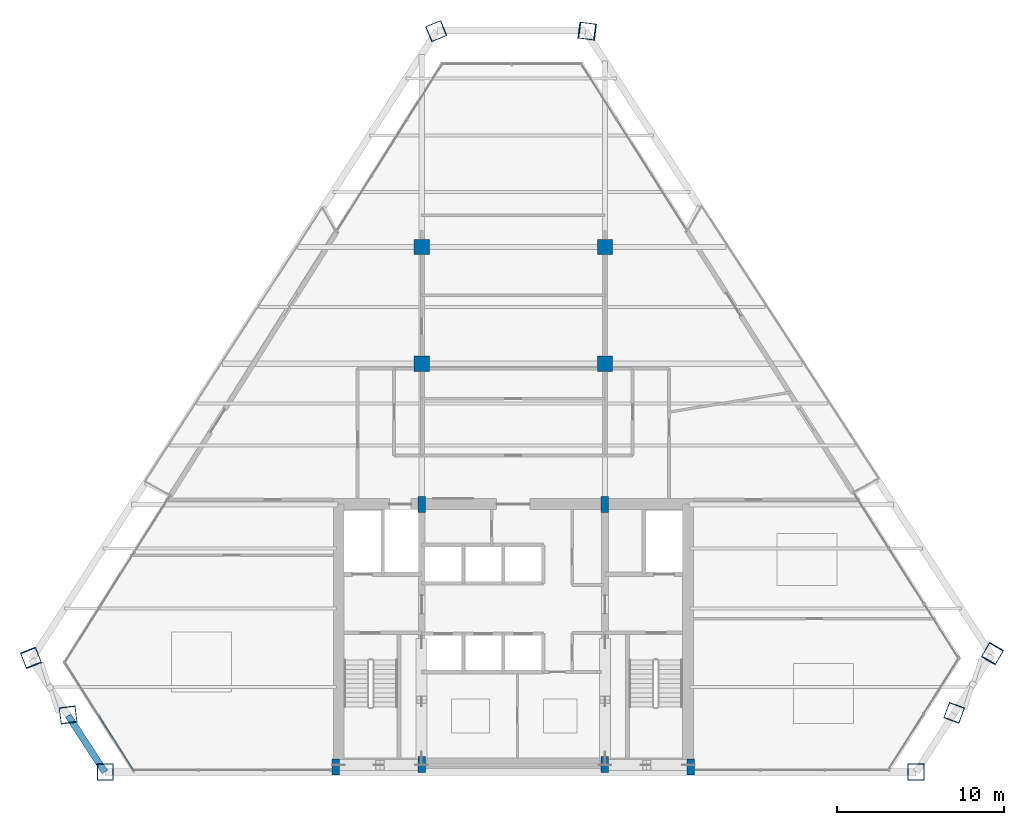
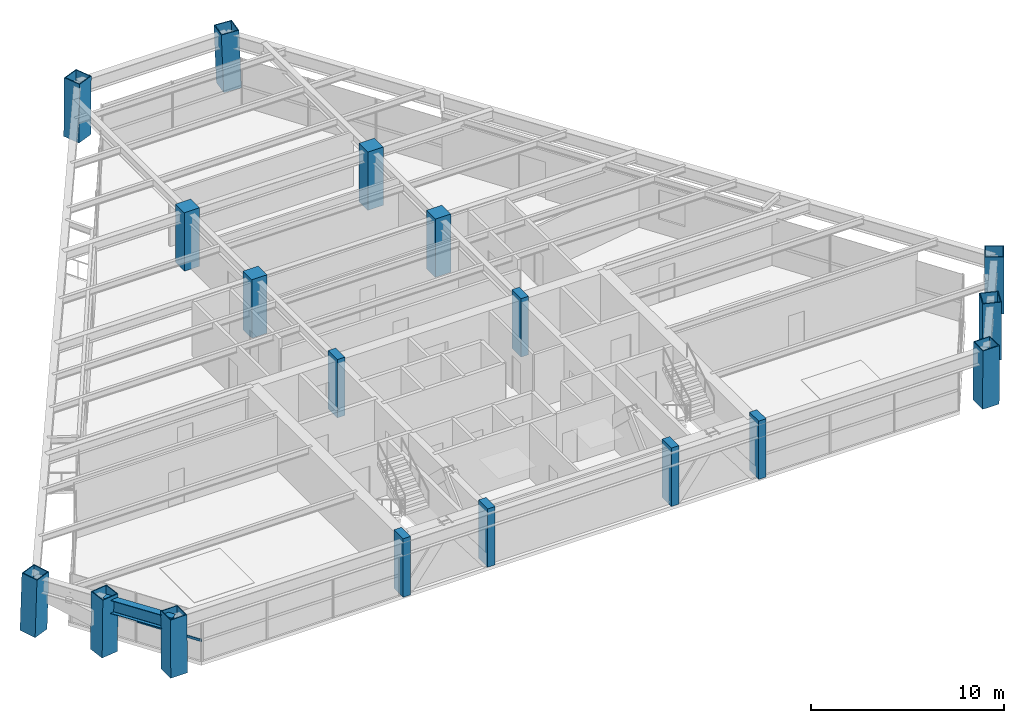
# One storey, part 1 of 15: 18 columns, 1 beam, 1 member, 1 element without a shape of its own.
"""IFC4 building model written with IfcOpenShell, lengths in metres."""

from ifc_helpers import new_model, si_unit, direction, frame, origin, origin_2d, place, context, subcontext, project, spatial, rectangle, hollow_rectangle, i_section, extrude, source, transform, mapped, material, material_profile, profile_set, type_object, type_shapes, element, aggregate, save


model = new_model("IFC4")

# Units and contexts
model_context = context("Model", 3, precision=1e-05, world=origin(), true_north=direction((0.0, 1.0)))
body_context = subcontext(model_context, "Body", "Model", "MODEL_VIEW")
ifc_project = project(units=[si_unit("LENGTHUNIT", "METRE"), si_unit("AREAUNIT", "SQUARE_METRE"), si_unit("VOLUMEUNIT", "CUBIC_METRE"), si_unit("PLANEANGLEUNIT", "RADIAN"), si_unit("MASSUNIT", "GRAM", prefix="KILO")], contexts=[model_context])

# Site, building, storey
site_placement = place(None, origin())
site = spatial("IfcSite", under=ifc_project, at=site_placement, CompositionType="ELEMENT")
building_placement = place(site_placement, origin())
building = spatial("IfcBuilding", under=site, at=building_placement, Name="Varnakhor Terracotta Tower", CompositionType="ELEMENT")
storey_placement = place(building_placement, frame((0.0, 0.0, 171.0)))
storey = spatial("IfcBuildingStorey", under=building, at=storey_placement, Name="L43", CompositionType="ELEMENT", Elevation=171.0)

# Columns
ifc_material_1 = material(Name="Concrete C50/60", Category="concrete")
ifc_material_profile_1 = material_profile(ifc_material_1, rectangle(XDim=0.449951171875, YDim=0.949951171875, at=origin_2d()), Name="RC PILASTER 950x450")
ifc_profile_set_1 = profile_set([ifc_material_profile_1], Name="Concrete C50/60")
column_type_1 = type_object("IfcColumnType", Name="COL-PIL-950x450", PredefinedType="PILASTER", material=ifc_profile_set_1)
shared_shape_1 = source(origin(), body_context, "Body", "SweptSolid", [
    extrude(rectangle(XDim=0.449951171875, YDim=0.949951171875, at=origin_2d()), origin(), (0.0, 0.0, 1.0), 3.699951171875),
])
for number, where, z_axis, x_axis, name in (
    (1, (-10.64990234375, 0.300048828125, 0.0), (0.0, 0.0, 1.0), (1.0, 0.0, 0.0), "L43 Core Pilaster CP1"),
    (2, (-5.5, 0.449951171875, 0.0), (0.0, 0.0, 1.0), (1.0, 0.0, 0.0), "L43 Core Pilaster CP2"),
    (3, (5.5, 0.449951171875, 0.0), (0.0, 0.0, 1.0), (1.0, 0.0, 0.0), "L43 Core Pilaster CP3"),
    (4, (10.64990234375, 0.300048828125, 0.0), (0.0, 0.0, 1.0), (1.0, 0.0, 0.0), "L43 Core Pilaster CP4"),
    (5, (-5.5, 16.050048828125, 0.0), (0.0, 0.0, 1.0), (1.0, 0.0, 0.0), "L43 Core Pilaster CP5"),
    (6, (5.5, 16.050048828125, 0.0), (0.0, 0.0, 1.0), (1.0, 0.0, 0.0), "L43 Core Pilaster CP6"),
):
    element("IfcColumn", number, at=place(storey_placement, frame(where, z_axis=z_axis, x_axis=x_axis)), inside=storey, type_object=column_type_1, Name=name, PredefinedType="PILASTER", context=body_context, shape_type="MappedRepresentation", body=[
        mapped(shared_shape_1, transform((0.0, 0.0, 0.0), scale=1.0)),
    ])
ifc_material_profile_2 = material_profile(ifc_material_1, rectangle(XDim=0.919921875, YDim=0.919921875, at=origin_2d()), Name="RC 920x920")
ifc_profile_set_2 = profile_set([ifc_material_profile_2], Name="Concrete C50/60")
column_type_2 = type_object("IfcColumnType", Name="COL-RC-920", PredefinedType="COLUMN", material=ifc_profile_set_2)
shared_shape_2 = source(origin(), body_context, "Body", "SweptSolid", [
    extrude(rectangle(XDim=0.919921875, YDim=0.919921875, at=origin_2d()), origin(), (0.0, 0.0, 1.0), 3.699951171875),
])
for number, where, z_axis, x_axis, name in (
    (7, (-5.5, 24.5, 0.0), (0.0, 0.0, 1.0), (1.0, 0.0, 0.0), "L43 Interior Tower Column IC1"),
    (8, (5.5, 24.5, 0.0), (0.0, 0.0, 1.0), (1.0, 0.0, 0.0), "L43 Interior Tower Column IC2"),
    (9, (-5.5, 31.5, 0.0), (0.0, 0.0, 1.0), (1.0, 0.0, 0.0), "L43 Interior Tower Column IC3"),
    (10, (5.5, 31.5, 0.0), (0.0, 0.0, 1.0), (1.0, 0.0, 0.0), "L43 Interior Tower Column IC4"),
):
    element("IfcColumn", number, at=place(storey_placement, frame(where, z_axis=z_axis, x_axis=x_axis)), inside=storey, type_object=column_type_2, Name=name, PredefinedType="COLUMN", context=body_context, shape_type="MappedRepresentation", body=[
        mapped(shared_shape_2, transform((0.0, 0.0, 0.0), scale=1.0)),
    ])
ifc_material_2 = material(Name="Steel S460", Category="steel")
ifc_material_profile_3 = material_profile(ifc_material_2, hollow_rectangle(XDim=1.0, YDim=1.0, WallThickness=0.050048828125, at=origin_2d()), Name="BOX 1000x1000x50")
ifc_profile_set_3 = profile_set([ifc_material_profile_3], Name="Steel S460")
column_type_3 = type_object("IfcColumnType", Name="COL-MEGA-1000", PredefinedType="COLUMN", material=ifc_profile_set_3)
shared_shape_3 = source(origin(), body_context, "Body", "SweptSolid", [
    extrude(hollow_rectangle(XDim=1.0, YDim=1.0, WallThickness=0.050048828125, at=origin_2d()), origin(), (0.0, 0.0, 1.0), 3.69140625),
])
type_shapes(column_type_3, [shared_shape_3])
for number, where, z_axis, x_axis, name in (
    (11, (-24.478271484375, 0.0, 0.00439453125), (-0.008333595122, 0.0, 0.999965274993), (0.0, -1.0, 0.0), "L43 Perimeter Mega-Column M1"),
    (12, (-4.6337890625, 44.4521484375, 0.00439453125), (0.011706188578, 0.004761839421, 0.999920141828), (-0.376798129202, 0.926295400955, 0.0), "L43 Perimeter Mega-Column M6"),
):
    element("IfcColumn", number, at=place(storey_placement, frame(where, z_axis=z_axis, x_axis=x_axis)), inside=storey, type_object=column_type_3, Name=name, PredefinedType="COLUMN", context=body_context, shape_type="MappedRepresentation", body=[
        mapped(shared_shape_3, transform((0.0, 0.0, 0.0), scale=1.0)),
    ])
shared_shape_4 = source(origin(), body_context, "Body", "SweptSolid", [
    extrude(hollow_rectangle(XDim=1.0, YDim=1.0, WallThickness=0.050048828125, at=origin_2d()), origin(), (0.0, 0.0, 1.0), 3.691162109375),
])
column_1_placement = place(storey_placement, frame((24.1484375, 0.0, 0.00439453125), z_axis=(0.006481774014, 0.0, 0.999978993082), x_axis=(0.0, 1.0, 0.0)))
element("IfcColumn", 13, at=column_1_placement, inside=storey, type_object=column_type_3, Name="L43 Perimeter Mega-Column M2", PredefinedType="COLUMN", context=body_context, shape_type="MappedRepresentation", body=[
    mapped(shared_shape_4, transform((0.0, 0.0, 0.0), scale=1.0)),
])
shared_shape_5 = source(origin(), body_context, "Body", "SweptSolid", [
    extrude(hollow_rectangle(XDim=1.0, YDim=1.0, WallThickness=0.050048828125, at=origin_2d()), origin(), (0.0, 0.0, 1.0), 3.691650390625),
])
for number, where, z_axis, x_axis, name in (
    (14, (26.45263671875, 3.561279296875, 0.00439453125), (-0.00542296422, -0.014813951039, 0.999875561414), (0.939056850257, -0.343761882683, 0.0), "L43 Perimeter Mega-Column M3"),
    (15, (-26.714111328125, 3.434326171875, 0.00439453125), (0.002050143979, -0.015673681385, 0.999875058506), (0.991553687508, 0.129696895834, 0.0), "L43 Perimeter Mega-Column M8"),
):
    element("IfcColumn", number, at=place(storey_placement, frame(where, z_axis=z_axis, x_axis=x_axis)), inside=storey, type_object=column_type_3, Name=name, PredefinedType="COLUMN", context=body_context, shape_type="MappedRepresentation", body=[
        mapped(shared_shape_5, transform((0.0, 0.0, 0.0), scale=1.0)),
    ])
shared_shape_6 = source(origin(), body_context, "Body", "SweptSolid", [
    extrude(hollow_rectangle(XDim=1.0, YDim=1.0, WallThickness=0.050048828125, at=origin_2d()), origin(), (0.0, 0.0, 1.0), 3.693359375),
])
for number, where, z_axis, x_axis, name in (
    (16, (28.7568359375, 7.122802734375, 0.00439453125), (-0.017252836694, -0.029746270162, 0.999408574627), (0.865031189262, -0.501718089772, 0.0), "L43 Perimeter Mega-Column M4"),
    (17, (-28.94970703125, 6.86865234375, 0.00439453125), (0.012427618485, -0.031333463626, 0.999431722708), (0.929554729138, 0.368684154173, 0.0), "L43 Perimeter Mega-Column M7"),
):
    element("IfcColumn", number, at=place(storey_placement, frame(where, z_axis=z_axis, x_axis=x_axis)), inside=storey, type_object=column_type_3, Name=name, PredefinedType="COLUMN", context=body_context, shape_type="MappedRepresentation", body=[
        mapped(shared_shape_6, transform((0.0, 0.0, 0.0), scale=1.0)),
    ])
shared_shape_7 = source(origin(), body_context, "Body", "SweptSolid", [
    extrude(hollow_rectangle(XDim=1.0, YDim=1.0, WallThickness=0.050048828125, at=origin_2d()), origin(), (0.0, 0.0, 1.0), 3.69384765625),
])
column_2_placement = place(storey_placement, frame((4.455078125, 44.4521484375, 0.00439453125), z_axis=(-0.037277703423, 0.004758855756, 0.999293613569), x_axis=(-0.126631886758, -0.991949779604, 0.0)))
element("IfcColumn", 18, at=column_2_placement, inside=storey, type_object=column_type_3, Name="L43 Perimeter Mega-Column M5", PredefinedType="COLUMN", context=body_context, shape_type="MappedRepresentation", body=[
    mapped(shared_shape_7, transform((0.0, 0.0, 0.0), scale=1.0)),
])

# Beam
ifc_material_3 = material(Name="Steel S355", Category="steel")
ifc_material_profile_4 = material_profile(ifc_material_3, i_section(OverallWidth=0.39990234375, OverallDepth=0.85498046875, WebThickness=0.01806640625, FlangeThickness=0.029052734375, FilletRadius=0.01806640625, at=origin_2d()), Name="W33X201")
ifc_profile_set_4 = profile_set([ifc_material_profile_4], Name="Steel S355")
beam_type = type_object("IfcBeamType", Name="BM-W33X201", PredefinedType="BEAM", material=ifc_profile_set_4)
shared_shape_8 = source(origin(), body_context, "Body", "SweptSolid", [
    extrude(i_section(OverallWidth=0.39990234375, OverallDepth=0.85498046875, WebThickness=0.01806640625, FlangeThickness=0.029052734375, FilletRadius=0.01806640625, at=origin_2d()), origin(), (0.0, 0.0, 1.0), 4.028564453125),
])
beam_placement = place(storey_placement, frame((-26.70654296875, 3.37646484375, 3.04248046875), z_axis=(0.545478185476, -0.838125020012, 0.0), x_axis=(0.838125020012, 0.545478185476, 0.0)))
element("IfcBeam", 19, at=beam_placement, inside=storey, type_object=beam_type, Name="L43 Perimeter Spandrel 8", PredefinedType="BEAM", context=body_context, shape_type="MappedRepresentation", body=[
    mapped(shared_shape_8, transform((0.0, 0.0, 0.0), scale=1.0)),
])

# Curtain wall, member
ifc_material_4 = material(Name="Anodised Aluminium Curtain Wall System", Category="aluminium")
curtain_wall_type = type_object("IfcCurtainWallType", Name="CW-SYS-MID-OFFICE", PredefinedType="NOTDEFINED", material=ifc_material_4)
curtain_wall_placement = place(storey_placement, origin())
curtain_wall = element("IfcCurtainWall", 20, at=curtain_wall_placement, inside=storey, type_object=curtain_wall_type, Name="L43 Facet Curtain Wall 6", PredefinedType="NOTDEFINED")
ifc_material_5 = material(Name="Anodised Aluminium 6063-T6", Category="aluminium")
ifc_material_profile_5 = material_profile(ifc_material_5, rectangle(XDim=0.070068359375, YDim=0.155029296875, at=origin_2d()), Name="ALU TRANSOM 70x155")
ifc_profile_set_5 = profile_set([ifc_material_profile_5], Name="Anodised Aluminium 6063-T6")
member_type = type_object("IfcMemberType", Name="CWT-03", PredefinedType="USERDEFINED", material=ifc_profile_set_5)
shared_shape_9 = source(origin(), body_context, "Body", "SweptSolid", [
    extrude(rectangle(XDim=0.070068359375, YDim=0.155029296875, at=origin_2d()), origin(), (0.0, 0.0, 1.0), 3.867919921875),
])
member_placement = place(storey_placement, frame((-22.780517578125, 0.089599609375, 1.281005859375), z_axis=(-0.535886742616, 0.84428987859, 0.0), x_axis=(-0.84428987859, -0.535886742616, 0.0)))
member = element("IfcMember", 21, at=member_placement, type_object=member_type, Name="L43 Facet Curtain Wall 6 Transom 1", ObjectType="TRANSOM", PredefinedType="USERDEFINED", context=body_context, shape_type="MappedRepresentation", body=[
    mapped(shared_shape_9, transform((0.0, 0.0, 0.0), scale=1.0)),
])
aggregate(curtain_wall, [member])

save(model, "model.ifc")
